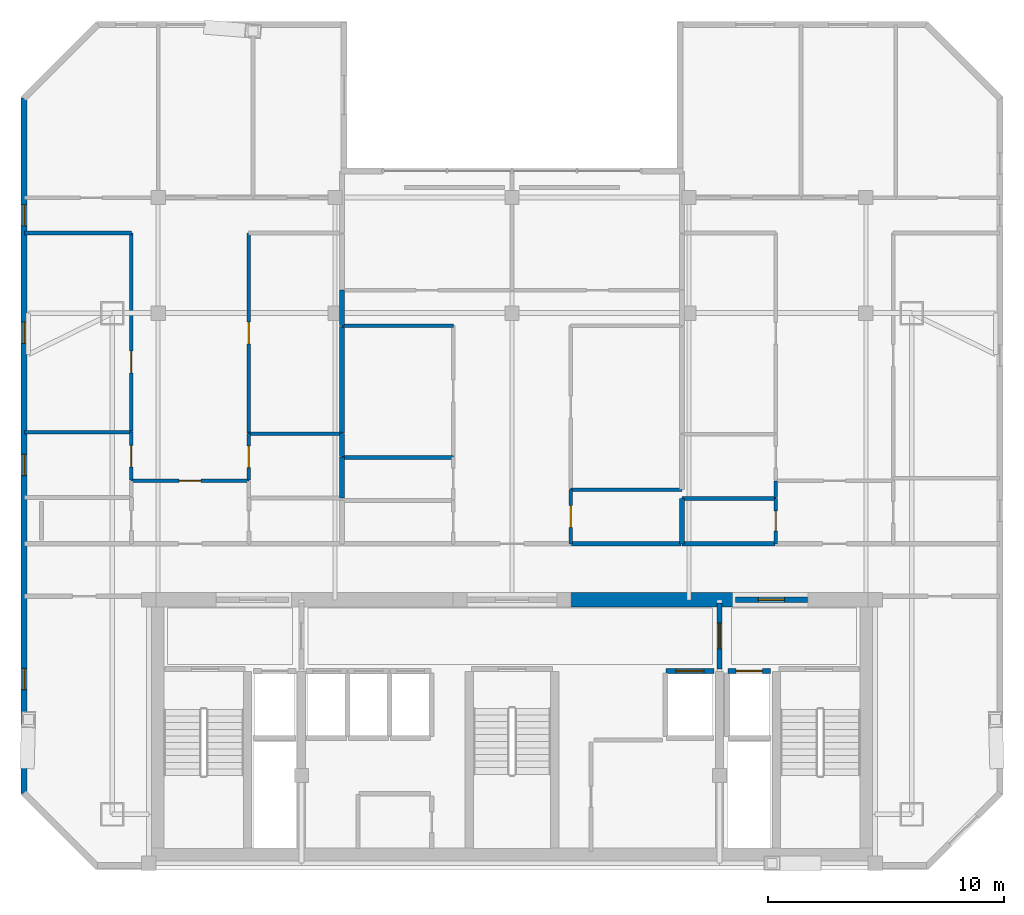
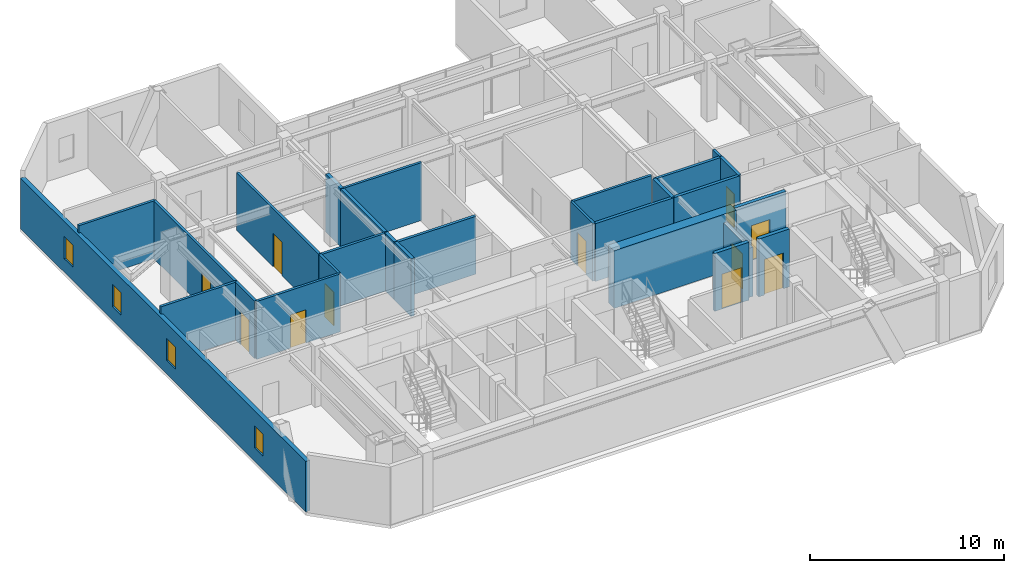
# One storey, part 7 of 11: 28 walls, 11 doors, 4 windows, 15 openings.
"""IFC4 building model written with IfcOpenShell, lengths in metres."""

from ifc_helpers import new_model, si_unit, direction, frame, frame_2d, origin, place, context, subcontext, project, spatial, rectangle, extrude, material, layer, layer_set, type_object, element, fill, save


model = new_model("IFC4")

# Units and contexts
model_context = context("Model", 3, precision=1e-05, world=origin(), true_north=direction((0.0, 1.0)))
body_context = subcontext(model_context, "Body", "Model", "MODEL_VIEW")
ifc_project = project(units=[si_unit("LENGTHUNIT", "METRE"), si_unit("AREAUNIT", "SQUARE_METRE"), si_unit("VOLUMEUNIT", "CUBIC_METRE"), si_unit("PLANEANGLEUNIT", "RADIAN"), si_unit("MASSUNIT", "GRAM", prefix="KILO")], contexts=[model_context])

# Site, building, storey
site_placement = place(None, origin())
site = spatial("IfcSite", under=ifc_project, at=site_placement, CompositionType="ELEMENT")
building_placement = place(site_placement, origin())
building = spatial("IfcBuilding", under=site, at=building_placement, Name="Ventersveld Concourse Tower", CompositionType="ELEMENT")
storey_placement = place(building_placement, frame((0.0, 0.0, 256.75)))
storey = spatial("IfcBuildingStorey", under=building, at=storey_placement, Name="L63", CompositionType="ELEMENT", Elevation=256.75)

# Walls
ifc_material_1 = material(Name="Concrete C50/60", Category="concrete")
ifc_layer_1 = layer(ifc_material_1, 0.60009765625)
ifc_layer_set_1 = layer_set([ifc_layer_1], Name="Concrete C50/60")
wall_type_1 = type_object("IfcWallType", Name="WL-CORE-600", PredefinedType="SHEAR", material=ifc_layer_set_1)
wall_1_placement = place(storey_placement, frame((30.89990234375, 11.449951171875, 0.0), z_axis=(0.0, 0.0, 1.0), x_axis=(1.0, 0.0, 0.0)))
element("IfcWall", 1, at=wall_1_placement, inside=storey, type_object=wall_type_1, Name="L63 Rear Core North Shear Wall NMR", PredefinedType="SHEAR", context=body_context, shape_type="SweptSolid", body=[
    extrude(rectangle(XDim=7.300048828125, YDim=0.60009765625, at=frame_2d((3.64990234375, 0.0))), origin(), (0.0, 0.0, 1.0), 3.64990234375),
])
ifc_material_2 = material(Name="Fire-rated autoclaved aerated masonry blockwork", Category="masonry")
ifc_layer_2 = layer(ifc_material_2, 0.179931640625)
ifc_layer_set_2 = layer_set([ifc_layer_2], Name="Fire-rated autoclaved aerated masonry blockwork")
wall_type_2 = type_object("IfcWallType", Name="WL-CORR-180", PredefinedType="PARTITIONING", material=ifc_layer_set_2)
wall_2_placement = place(storey_placement, frame((35.955078125, 13.830078125, 0.0), z_axis=(0.0, 0.0, 1.0), x_axis=(1.0, 0.0, 0.0)))
element("IfcWall", 2, at=wall_2_placement, inside=storey, type_object=wall_type_2, Name="L63 Interior Partition SP-L63-COR-SP-L63-63CE-BATH", PredefinedType="PARTITIONING", context=body_context, shape_type="SweptSolid", body=[
    extrude(rectangle(XDim=3.9443359375, YDim=0.179931640625, at=frame_2d((1.97216796875, 0.0))), origin(), (0.0, 0.0, 1.0), 3.64990234375),
])
wall_3_placement = place(storey_placement, frame((31.27490234375, 13.830078125, 0.0), z_axis=(0.0, 0.0, 1.0), x_axis=(1.0, 0.0, 0.0)))
element("IfcWall", 3, at=wall_3_placement, inside=storey, type_object=wall_type_2, Name="L63 Interior Partition SP-L63-COR-SP-L63-63CM-KIT", PredefinedType="PARTITIONING", context=body_context, shape_type="SweptSolid", body=[
    extrude(rectangle(XDim=4.650146484375, YDim=0.179931640625, at=frame_2d((2.3251953125, 0.0))), origin(), (0.0, 0.0, 1.0), 3.64990234375),
])
ifc_layer_3 = layer(ifc_material_2, 0.199951171875)
ifc_layer_set_3 = layer_set([ifc_layer_3], Name="Fire-rated autoclaved aerated masonry blockwork")
wall_type_3 = type_object("IfcWallType", Name="WL-DEMISE-200", PredefinedType="PARTITIONING", material=ifc_layer_set_3)
wall_4_placement = place(storey_placement, frame((21.5400390625, 15.756591796875, 0.0), z_axis=(0.0, 0.0, 1.0), x_axis=(0.0, 1.0, 0.0)))
element("IfcWall", 4, at=wall_4_placement, inside=storey, type_object=wall_type_3, Name="L63 Interior Partition SP-L63-63CW-KIT-SP-L63-63CM-PWDL0", PredefinedType="PARTITIONING", context=body_context, shape_type="SweptSolid", body=[
    extrude(rectangle(XDim=1.738525390625, YDim=0.199951171875, at=frame_2d((0.869140625, 0.0))), origin(), (0.0, 0.0, 1.0), 3.64990234375),
])
wall_5_placement = place(storey_placement, frame((21.5400390625, 17.52490234375, 0.0), z_axis=(0.0, 0.0, 1.0), x_axis=(0.0, 1.0, 0.0)))
element("IfcWall", 5, at=wall_5_placement, inside=storey, type_object=wall_type_3, Name="L63 Interior Partition SP-L63-63CW-KIT-SP-L63-63CM-DENL", PredefinedType="PARTITIONING", context=body_context, shape_type="SweptSolid", body=[
    extrude(rectangle(XDim=0.969482421875, YDim=0.199951171875, at=frame_2d((0.48486328125, 0.0))), origin(), (0.0, 0.0, 1.0), 3.64990234375),
])
wall_6_placement = place(storey_placement, frame((21.5400390625, 23.0712890625, 0.0), z_axis=(0.0, 0.0, 1.0), x_axis=(0.0, 1.0, 0.0)))
element("IfcWall", 6, at=wall_6_placement, inside=storey, type_object=wall_type_3, Name="L63 Interior Partition SP-L63-63CW-DENR-SP-L63-63CM-LIV", PredefinedType="PARTITIONING", context=body_context, shape_type="SweptSolid", body=[
    extrude(rectangle(XDim=1.510009765625, YDim=0.199951171875, at=frame_2d((0.7548828125, 0.0))), origin(), (0.0, 0.0, 1.0), 3.64990234375),
])
wall_7_placement = place(storey_placement, frame((21.5400390625, 18.5244140625, 0.0), z_axis=(0.0, 0.0, 1.0), x_axis=(0.0, 1.0, 0.0)))
element("IfcWall", 7, at=wall_7_placement, inside=storey, type_object=wall_type_3, Name="L63 Interior Partition SP-L63-63CW-DENR-SP-L63-63CM-DENL", PredefinedType="PARTITIONING", context=body_context, shape_type="SweptSolid", body=[
    extrude(rectangle(XDim=4.516845703125, YDim=0.199951171875, at=frame_2d((2.25830078125, 0.0))), origin(), (0.0, 0.0, 1.0), 3.64990234375),
])
wall_8_placement = place(storey_placement, frame((35.9599609375, 13.824951171875, 0.0), z_axis=(0.0, 0.0, 1.0), x_axis=(0.0, 1.0, 0.0)))
element("IfcWall", 8, at=wall_8_placement, inside=storey, type_object=wall_type_3, Name="L63 Interior Partition SP-L63-63CE-BATH-SP-L63-63CM-KIT", PredefinedType="PARTITIONING", context=body_context, shape_type="SweptSolid", body=[
    extrude(rectangle(XDim=1.929443359375, YDim=0.199951171875, at=frame_2d((0.96484375, 0.0))), origin(), (0.0, 0.0, 1.0), 3.64990234375),
])

# Wall, opening, door
ifc_layer_4 = layer(ifc_material_2, 0.219970703125)
ifc_layer_set_4 = layer_set([ifc_layer_4], Name="Fire-rated autoclaved aerated masonry blockwork")
wall_type_4 = type_object("IfcWallType", Name="WL-HOIST-220", PredefinedType="SOLIDWALL", material=ifc_layer_set_4)
wall_9_placement = place(storey_placement, frame((37.89990234375, 8.429931640625, 0.0), z_axis=(0.0, 0.0, 1.0), x_axis=(1.0, 0.0, 0.0)))
wall_9 = element("IfcWall", 9, at=wall_9_placement, inside=storey, type_object=wall_type_4, Name="L63 Lift Hoistway Front Wall FFL-02", PredefinedType="SOLIDWALL", context=body_context, shape_type="SweptSolid", body=[
    extrude(rectangle(XDim=1.820068359375, YDim=0.219970703125, at=frame_2d((0.91015625, 0.0))), origin(), (0.0, 0.0, 1.0), 3.64990234375),
])
opening_1_placement = place(wall_9_placement, frame((0.35009765625, 0.0, 0.0)))
opening_1 = element("IfcOpeningElement", 10, at=opening_1_placement, cuts=wall_9, Name="Opening LD1", PredefinedType="OPENING", context=body_context, shape_type="SweptSolid", body=[
    extrude(rectangle(XDim=1.1201171875, YDim=2.25, at=frame_2d((0.56005859375, 1.125))), frame((0.0, 0.1201171875, 0.0), z_axis=(0.0, -1.0, 0.0), x_axis=(1.0, 0.0, 0.0)), (0.0, 0.0, 1.0), 0.239990234375),
])
ifc_material_3 = material(Name="Brushed stainless steel 316", Category="steel")
door_type_1 = type_object("IfcDoorType", Name="LD-FF-112", OperationType="SLIDING_TO_LEFT", PredefinedType="DOOR", material=ifc_material_3)
door_1_placement = place(opening_1_placement, origin())
door_1 = element("IfcDoor", 11, at=door_1_placement, inside=storey, type_object=door_type_1, Name="L63 Lift landing door FFL-02 (LD-L63-FFL-02)", OperationType="SLIDING_TO_LEFT", OverallHeight=2.25, OverallWidth=1.1201171875, PredefinedType="DOOR", context=body_context, shape_type="SweptSolid", body=[
    extrude(rectangle(XDim=1.1201171875, YDim=2.25, at=frame_2d((0.56005859375, 1.125))), frame((0.0, 0.02490234375, 0.0), z_axis=(0.0, -1.0, 0.0), x_axis=(1.0, 0.0, 0.0)), (0.0, 0.0, 1.0), 0.050048828125),
])
fill(opening_1, door_1)

wall_10_placement = place(storey_placement, frame((35.280029296875, 8.429931640625, 0.0), z_axis=(0.0, 0.0, 1.0), x_axis=(1.0, 0.0, 0.0)))
wall_10 = element("IfcWall", 12, at=wall_10_placement, inside=storey, type_object=wall_type_4, Name="L63 Lift Hoistway Front Wall SVL-01", PredefinedType="SOLIDWALL", context=body_context, shape_type="SweptSolid", body=[
    extrude(rectangle(XDim=2.0400390625, YDim=0.219970703125, at=frame_2d((1.02001953125, 0.0))), origin(), (0.0, 0.0, 1.0), 3.64990234375),
])
opening_2_placement = place(wall_10_placement, frame((0.429931640625, 0.0, 0.0)))
opening_2 = element("IfcOpeningElement", 13, at=opening_2_placement, cuts=wall_10, Name="Opening LD2", PredefinedType="OPENING", context=body_context, shape_type="SweptSolid", body=[
    extrude(rectangle(XDim=1.179931640625, YDim=2.199951171875, at=frame_2d((0.58984375, 1.10009765625))), frame((0.0, 0.1201171875, 0.0), z_axis=(0.0, -1.0, 0.0), x_axis=(1.0, 0.0, 0.0)), (0.0, 0.0, 1.0), 0.239990234375),
])
door_type_2 = type_object("IfcDoorType", Name="LD-PAX-118", OperationType="SLIDING_TO_LEFT", PredefinedType="DOOR", material=ifc_material_3)
door_2_placement = place(opening_2_placement, origin())
door_2 = element("IfcDoor", 14, at=door_2_placement, inside=storey, type_object=door_type_2, Name="L63 Lift landing door SVL-01 (LD-L63-SVL-01)", OperationType="SLIDING_TO_RIGHT", OverallHeight=2.199951171875, OverallWidth=1.179931640625, PredefinedType="DOOR", context=body_context, shape_type="SweptSolid", body=[
    extrude(rectangle(XDim=1.179931640625, YDim=2.199951171875, at=frame_2d((0.58984375, 1.10009765625))), frame((0.0, 0.02490234375, 0.0), z_axis=(0.0, -1.0, 0.0), x_axis=(1.0, 0.0, 0.0)), (0.0, 0.0, 1.0), 0.050048828125),
])
fill(opening_2, door_2)

wall_11_placement = place(storey_placement, frame((37.550048828125, 8.52001953125, 0.0), z_axis=(0.0, 0.0, 1.0), x_axis=(0.0, 1.0, 0.0)))
wall_11 = element("IfcWall", 15, at=wall_11_placement, inside=storey, type_object=wall_type_4, Name="L63 Firefighting Lobby Smoke-Stop Wall FFLE-SEP", PredefinedType="SOLIDWALL", context=body_context, shape_type="SweptSolid", body=[
    extrude(rectangle(XDim=2.800048828125, YDim=0.219970703125, at=frame_2d((1.39990234375, 0.0))), origin(), (0.0, 0.0, 1.0), 3.10546875),
])
opening_3_placement = place(wall_11_placement, frame((0.85009765625, 0.0, 0.0)))
opening_3 = element("IfcOpeningElement", 16, at=opening_3_placement, cuts=wall_11, Name="Opening FD2", PredefinedType="OPENING", context=body_context, shape_type="SweptSolid", body=[
    extrude(rectangle(XDim=1.10009765625, YDim=2.199951171875, at=frame_2d((0.550048828125, 1.10009765625))), frame((0.0, 0.1201171875, 0.0), z_axis=(0.0, -1.0, 0.0), x_axis=(1.0, 0.0, 0.0)), (0.0, 0.0, 1.0), 0.239990234375),
])
ifc_material_4 = material(Name="Galvanised painted steel", Category="steel")
door_type_3 = type_object("IfcDoorType", Name="DR-FFL-110", OperationType="NOTDEFINED", PredefinedType="DOOR", material=ifc_material_4)
door_3_placement = place(opening_3_placement, origin())
door_3 = element("IfcDoor", 17, at=door_3_placement, inside=storey, type_object=door_type_3, Name="L63 Firefighting Lobby Door FFLE-SEP (FD-L63-2974)", OperationType="SINGLE_SWING_RIGHT", OverallHeight=2.199951171875, OverallWidth=1.10009765625, PredefinedType="DOOR", context=body_context, shape_type="SweptSolid", body=[
    extrude(rectangle(XDim=1.10009765625, YDim=2.199951171875, at=frame_2d((0.550048828125, 1.10009765625))), frame((0.0, 0.02490234375, 0.0), z_axis=(0.0, -1.0, 0.0), x_axis=(1.0, 0.0, 0.0)), (0.0, 0.0, 1.0), 0.050048828125),
])
fill(opening_3, door_3)

wall_12_placement = place(storey_placement, frame((38.22998046875, 11.449951171875, 0.0), z_axis=(0.0, 0.0, 1.0), x_axis=(1.0, 0.0, 0.0)))
wall_12 = element("IfcWall", 18, at=wall_12_placement, inside=storey, type_object=wall_type_4, Name="L63 Core North Fire Portal FFLE-OUT", PredefinedType="SOLIDWALL", context=body_context, shape_type="SweptSolid", body=[
    extrude(rectangle(XDim=3.0400390625, YDim=0.219970703125, at=frame_2d((1.52001953125, 0.0))), origin(), (0.0, 0.0, 1.0), 3.64990234375),
])
opening_4_placement = place(wall_12_placement, frame((0.969970703125, 0.0, 0.0)))
opening_4 = element("IfcOpeningElement", 19, at=opening_4_placement, cuts=wall_12, Name="Opening FD2", PredefinedType="OPENING", context=body_context, shape_type="SweptSolid", body=[
    extrude(rectangle(XDim=1.10009765625, YDim=2.199951171875, at=frame_2d((0.550048828125, 1.10009765625))), frame((0.0, 0.1201171875, 0.0), z_axis=(0.0, -1.0, 0.0), x_axis=(1.0, 0.0, 0.0)), (0.0, 0.0, 1.0), 0.239990234375),
])
door_4_placement = place(opening_4_placement, origin())
door_4 = element("IfcDoor", 20, at=door_4_placement, inside=storey, type_object=door_type_3, Name="L63 Core Lobby Fire Door FFLE-OUT (FD-L63-2977)", OperationType="SINGLE_SWING_LEFT", OverallHeight=2.199951171875, OverallWidth=1.10009765625, PredefinedType="DOOR", context=body_context, shape_type="SweptSolid", body=[
    extrude(rectangle(XDim=1.10009765625, YDim=2.199951171875, at=frame_2d((0.550048828125, 1.10009765625))), frame((0.0, 0.02490234375, 0.0), z_axis=(0.0, -1.0, 0.0), x_axis=(1.0, 0.0, 0.0)), (0.0, 0.0, 1.0), 0.050048828125),
])
fill(opening_4, door_4)

ifc_material_5 = material(Name="Autoclaved aerated masonry blockwork", Category="masonry")
ifc_layer_5 = layer(ifc_material_5, 0.14990234375)
ifc_layer_set_5 = layer_set([ifc_layer_5], Name="Autoclaved aerated masonry blockwork")
wall_type_5 = type_object("IfcWallType", Name="WL-INT-150", PredefinedType="PARTITIONING", material=ifc_layer_set_5)
wall_13_placement = place(storey_placement, frame((12.60693359375, 16.490234375, 0.0), z_axis=(0.0, 0.0, 1.0), x_axis=(1.0, 0.0, 0.0)))
wall_13 = element("IfcWall", 21, at=wall_13_placement, inside=storey, type_object=wall_type_5, Name="L63 Interior Partition SP-L63-63CW-FOY-SP-L63-63CW-LIV", PredefinedType="PARTITIONING", context=body_context, shape_type="SweptSolid", body=[
    extrude(rectangle(XDim=4.989990234375, YDim=0.14990234375, at=frame_2d((2.4951171875, 0.0))), origin(), (0.0, 0.0, 1.0), 3.64990234375),
])
opening_5_placement = place(wall_13_placement, frame((2.034912109375, 0.0, 0.0)))
opening_5 = element("IfcOpeningElement", 22, at=opening_5_placement, cuts=wall_13, Name="Opening ID1", PredefinedType="OPENING", context=body_context, shape_type="SweptSolid", body=[
    extrude(rectangle(XDim=0.919921875, YDim=2.10009765625, at=frame_2d((0.4599609375, 1.050048828125))), frame((0.0, 0.0849609375, 0.0), z_axis=(0.0, -1.0, 0.0), x_axis=(1.0, 0.0, 0.0)), (0.0, 0.0, 1.0), 0.169921875),
])
ifc_material_6 = material(Name="Solid-core hardwood veneer timber", Category="wood")
door_type_4 = type_object("IfcDoorType", Name="DR-ROOM-092", OperationType="NOTDEFINED", PredefinedType="DOOR", material=ifc_material_6)
door_5_placement = place(opening_5_placement, origin())
door_5 = element("IfcDoor", 23, at=door_5_placement, inside=storey, type_object=door_type_4, Name="L63 Interior Door SP-L63-63CW-FOY to SP-L63-63CW-LIV (D-L63-2985)", OperationType="SINGLE_SWING_LEFT", OverallHeight=2.10009765625, OverallWidth=0.919921875, PredefinedType="DOOR", context=body_context, shape_type="SweptSolid", body=[
    extrude(rectangle(XDim=0.919921875, YDim=2.10009765625, at=frame_2d((0.4599609375, 1.050048828125))), frame((0.0, 0.02490234375, 0.0), z_axis=(0.0, -1.0, 0.0), x_axis=(1.0, 0.0, 0.0)), (0.0, 0.0, 1.0), 0.050048828125),
])
fill(opening_5, door_5)

wall_14_placement = place(storey_placement, frame((12.612060546875, 16.525390625, 0.0), z_axis=(0.0, 0.0, 1.0), x_axis=(0.0, 1.0, 0.0)))
wall_14 = element("IfcWall", 24, at=wall_14_placement, inside=storey, type_object=wall_type_5, Name="L63 Interior Partition SP-L63-63CW-LIV-SP-L63-63CW-PANL0", PredefinedType="PARTITIONING", context=body_context, shape_type="SweptSolid", body=[
    extrude(rectangle(XDim=2.02978515625, YDim=0.14990234375, at=frame_2d((1.014892578125, 0.0))), origin(), (0.0, 0.0, 1.0), 3.64990234375),
])
opening_6_placement = place(wall_14_placement, frame((0.554931640625, 0.0, 0.0)))
opening_6 = element("IfcOpeningElement", 25, at=opening_6_placement, cuts=wall_14, Name="Opening ID1", PredefinedType="OPENING", context=body_context, shape_type="SweptSolid", body=[
    extrude(rectangle(XDim=0.919921875, YDim=2.10009765625, at=frame_2d((0.4599609375, 1.050048828125))), frame((0.0, 0.0849609375, 0.0), z_axis=(0.0, -1.0, 0.0), x_axis=(1.0, 0.0, 0.0)), (0.0, 0.0, 1.0), 0.169921875),
])
door_6_placement = place(opening_6_placement, origin())
door_6 = element("IfcDoor", 26, at=door_6_placement, inside=storey, type_object=door_type_4, Name="L63 Interior Door SP-L63-63CW-LIV to SP-L63-63CW-PANL0 (D-L63-2988)", OperationType="SINGLE_SWING_RIGHT", OverallHeight=2.10009765625, OverallWidth=0.919921875, PredefinedType="DOOR", context=body_context, shape_type="SweptSolid", body=[
    extrude(rectangle(XDim=0.919921875, YDim=2.10009765625, at=frame_2d((0.4599609375, 1.050048828125))), frame((0.0, 0.02490234375, 0.0), z_axis=(0.0, -1.0, 0.0), x_axis=(1.0, 0.0, 0.0)), (0.0, 0.0, 1.0), 0.050048828125),
])
fill(opening_6, door_6)

wall_15_placement = place(storey_placement, frame((12.612060546875, 18.585205078125, 0.0), z_axis=(0.0, 0.0, 1.0), x_axis=(0.0, 1.0, 0.0)))
wall_15 = element("IfcWall", 27, at=wall_15_placement, inside=storey, type_object=wall_type_5, Name="L63 Interior Partition SP-L63-63CW-LIV-SP-L63-63CW-DENL", PredefinedType="PARTITIONING", context=body_context, shape_type="SweptSolid", body=[
    extrude(rectangle(XDim=8.419677734375, YDim=0.14990234375, at=frame_2d((4.2099609375, 0.0))), origin(), (0.0, 0.0, 1.0), 3.64990234375),
])
opening_7_placement = place(wall_15_placement, frame((2.48681640625, 0.0, 0.0)))
opening_7 = element("IfcOpeningElement", 28, at=opening_7_placement, cuts=wall_15, Name="Opening ID1", PredefinedType="OPENING", context=body_context, shape_type="SweptSolid", body=[
    extrude(rectangle(XDim=0.919921875, YDim=2.10009765625, at=frame_2d((0.4599609375, 1.050048828125))), frame((0.0, 0.0849609375, 0.0), z_axis=(0.0, -1.0, 0.0), x_axis=(1.0, 0.0, 0.0)), (0.0, 0.0, 1.0), 0.169921875),
])
door_7_placement = place(opening_7_placement, origin())
door_7 = element("IfcDoor", 29, at=door_7_placement, inside=storey, type_object=door_type_4, Name="L63 Interior Door SP-L63-63CW-LIV to SP-L63-63CW-DENL (D-L63-2989)", OperationType="SINGLE_SWING_LEFT", OverallHeight=2.10009765625, OverallWidth=0.919921875, PredefinedType="DOOR", context=body_context, shape_type="SweptSolid", body=[
    extrude(rectangle(XDim=0.919921875, YDim=2.10009765625, at=frame_2d((0.4599609375, 1.050048828125))), frame((0.0, 0.02490234375, 0.0), z_axis=(0.0, -1.0, 0.0), x_axis=(1.0, 0.0, 0.0)), (0.0, 0.0, 1.0), 0.050048828125),
])
fill(opening_7, door_7)

# Wall
wall_16_placement = place(storey_placement, frame((8.076171875, 27.0, 0.0), z_axis=(0.0, 0.0, 1.0), x_axis=(1.0, 0.0, 0.0)))
element("IfcWall", 30, at=wall_16_placement, inside=storey, type_object=wall_type_5, Name="L63 Interior Partition SP-L63-63CW-LIV-SP-L63-63CW-DENL", PredefinedType="PARTITIONING", context=body_context, shape_type="SweptSolid", body=[
    extrude(rectangle(XDim=4.540771484375, YDim=0.14990234375, at=frame_2d((2.2705078125, 0.0))), origin(), (0.0, 0.0, 1.0), 3.64990234375),
])

# Wall, opening, door
wall_17_placement = place(storey_placement, frame((17.592041015625, 16.525390625, 0.0), z_axis=(0.0, 0.0, 1.0), x_axis=(0.0, 1.0, 0.0)))
wall_17 = element("IfcWall", 31, at=wall_17_placement, inside=storey, type_object=wall_type_5, Name="L63 Interior Partition SP-L63-63CW-LIV-SP-L63-63CW-KIT", PredefinedType="PARTITIONING", context=body_context, shape_type="SweptSolid", body=[
    extrude(rectangle(XDim=1.968994140625, YDim=0.14990234375, at=frame_2d((0.984375, 0.0))), origin(), (0.0, 0.0, 1.0), 3.64990234375),
])
opening_8_placement = place(wall_17_placement, frame((0.5244140625, 0.0, 0.0)))
opening_8 = element("IfcOpeningElement", 32, at=opening_8_placement, cuts=wall_17, Name="Opening ID1", PredefinedType="OPENING", context=body_context, shape_type="SweptSolid", body=[
    extrude(rectangle(XDim=0.919921875, YDim=2.10009765625, at=frame_2d((0.4599609375, 1.050048828125))), frame((0.0, 0.0849609375, 0.0), z_axis=(0.0, -1.0, 0.0), x_axis=(1.0, 0.0, 0.0)), (0.0, 0.0, 1.0), 0.169921875),
])
door_8_placement = place(opening_8_placement, origin())
door_8 = element("IfcDoor", 33, at=door_8_placement, inside=storey, type_object=door_type_4, Name="L63 Interior Door SP-L63-63CW-LIV to SP-L63-63CW-KIT (D-L63-2990)", OperationType="SINGLE_SWING_RIGHT", OverallHeight=2.10009765625, OverallWidth=0.919921875, PredefinedType="DOOR", context=body_context, shape_type="SweptSolid", body=[
    extrude(rectangle(XDim=0.919921875, YDim=2.10009765625, at=frame_2d((0.4599609375, 1.050048828125))), frame((0.0, 0.02490234375, 0.0), z_axis=(0.0, -1.0, 0.0), x_axis=(1.0, 0.0, 0.0)), (0.0, 0.0, 1.0), 0.050048828125),
])
fill(opening_8, door_8)

wall_18_placement = place(storey_placement, frame((17.592041015625, 18.5244140625, 0.0), z_axis=(0.0, 0.0, 1.0), x_axis=(0.0, 1.0, 0.0)))
wall_18 = element("IfcWall", 34, at=wall_18_placement, inside=storey, type_object=wall_type_5, Name="L63 Interior Partition SP-L63-63CW-LIV-SP-L63-63CW-DENR", PredefinedType="PARTITIONING", context=body_context, shape_type="SweptSolid", body=[
    extrude(rectangle(XDim=8.48046875, YDim=0.14990234375, at=frame_2d((4.240234375, 0.0))), origin(), (0.0, 0.0, 1.0), 3.64990234375),
])
opening_9_placement = place(wall_18_placement, frame((3.7802734375, 0.0, 0.0)))
opening_9 = element("IfcOpeningElement", 35, at=opening_9_placement, cuts=wall_18, Name="Opening ID1", PredefinedType="OPENING", context=body_context, shape_type="SweptSolid", body=[
    extrude(rectangle(XDim=0.919921875, YDim=2.10009765625, at=frame_2d((0.4599609375, 1.050048828125))), frame((0.0, 0.0849609375, 0.0), z_axis=(0.0, -1.0, 0.0), x_axis=(1.0, 0.0, 0.0)), (0.0, 0.0, 1.0), 0.169921875),
])
door_9_placement = place(opening_9_placement, origin())
door_9 = element("IfcDoor", 36, at=door_9_placement, inside=storey, type_object=door_type_4, Name="L63 Interior Door SP-L63-63CW-LIV to SP-L63-63CW-DENR (D-L63-2991)", OperationType="SINGLE_SWING_LEFT", OverallHeight=2.10009765625, OverallWidth=0.919921875, PredefinedType="DOOR", context=body_context, shape_type="SweptSolid", body=[
    extrude(rectangle(XDim=0.919921875, YDim=2.10009765625, at=frame_2d((0.4599609375, 1.050048828125))), frame((0.0, 0.02490234375, 0.0), z_axis=(0.0, -1.0, 0.0), x_axis=(1.0, 0.0, 0.0)), (0.0, 0.0, 1.0), 0.050048828125),
])
fill(opening_9, door_9)

# Walls
wall_19_placement = place(storey_placement, frame((8.076171875, 18.55029296875, 0.0), z_axis=(0.0, 0.0, 1.0), x_axis=(1.0, 0.0, 0.0)))
element("IfcWall", 37, at=wall_19_placement, inside=storey, type_object=wall_type_5, Name="L63 Interior Partition SP-L63-63CW-PANL0-SP-L63-63CW-DENL", PredefinedType="PARTITIONING", context=body_context, shape_type="SweptSolid", body=[
    extrude(rectangle(XDim=4.540771484375, YDim=0.14990234375, at=frame_2d((2.2705078125, 0.0))), origin(), (0.0, 0.0, 1.0), 3.64990234375),
])
wall_20_placement = place(storey_placement, frame((17.5869140625, 18.489501953125, 0.0), z_axis=(0.0, 0.0, 1.0), x_axis=(1.0, 0.0, 0.0)))
element("IfcWall", 38, at=wall_20_placement, inside=storey, type_object=wall_type_5, Name="L63 Interior Partition SP-L63-63CW-KIT-SP-L63-63CW-DENR", PredefinedType="PARTITIONING", context=body_context, shape_type="SweptSolid", body=[
    extrude(rectangle(XDim=3.9580078125, YDim=0.14990234375, at=frame_2d((1.97900390625, 0.0))), origin(), (0.0, 0.0, 1.0), 3.64990234375),
])
wall_21_placement = place(storey_placement, frame((39.934326171875, 15.784423828125, 0.0), z_axis=(0.0, 0.0, 1.0), x_axis=(0.0, 1.0, 0.0)))
element("IfcWall", 39, at=wall_21_placement, inside=storey, type_object=wall_type_5, Name="L63 Interior Partition SP-L63-63CE-FOY-SP-L63-63CE-PANL0", PredefinedType="PARTITIONING", context=body_context, shape_type="SweptSolid", body=[
    extrude(rectangle(XDim=0.7109375, YDim=0.14990234375, at=frame_2d((0.35546875, 0.0))), origin(), (0.0, 0.0, 1.0), 3.64990234375),
])
wall_22_placement = place(storey_placement, frame((21.534912109375, 23.076416015625, 0.0), z_axis=(0.0, 0.0, 1.0), x_axis=(1.0, 0.0, 0.0)))
element("IfcWall", 40, at=wall_22_placement, inside=storey, type_object=wall_type_5, Name="L63 Interior Partition SP-L63-63CM-LIV-SP-L63-63CM-DENL", PredefinedType="PARTITIONING", context=body_context, shape_type="SweptSolid", body=[
    extrude(rectangle(XDim=4.72998046875, YDim=0.14990234375, at=frame_2d((2.364990234375, 0.0))), origin(), (0.0, 0.0, 1.0), 3.64990234375),
])

# Wall, opening, door
wall_23_placement = place(storey_placement, frame((31.239990234375, 13.824951171875, 0.0), z_axis=(0.0, 0.0, 1.0), x_axis=(0.0, 1.0, 0.0)))
wall_23 = element("IfcWall", 41, at=wall_23_placement, inside=storey, type_object=wall_type_5, Name="L63 Interior Partition SP-L63-63CM-LIV-SP-L63-63CM-KIT", PredefinedType="PARTITIONING", context=body_context, shape_type="SweptSolid", body=[
    extrude(rectangle(XDim=2.304443359375, YDim=0.14990234375, at=frame_2d((1.15234375, 0.0))), origin(), (0.0, 0.0, 1.0), 3.64990234375),
])
opening_10_placement = place(wall_23_placement, frame((0.6923828125, 0.0, 0.0)))
opening_10 = element("IfcOpeningElement", 42, at=opening_10_placement, cuts=wall_23, Name="Opening ID1", PredefinedType="OPENING", context=body_context, shape_type="SweptSolid", body=[
    extrude(rectangle(XDim=0.919921875, YDim=2.10009765625, at=frame_2d((0.4599609375, 1.050048828125))), frame((0.0, 0.0849609375, 0.0), z_axis=(0.0, -1.0, 0.0), x_axis=(1.0, 0.0, 0.0)), (0.0, 0.0, 1.0), 0.169921875),
])
door_10_placement = place(opening_10_placement, origin())
door_10 = element("IfcDoor", 43, at=door_10_placement, inside=storey, type_object=door_type_4, Name="L63 Interior Door SP-L63-63CM-LIV to SP-L63-63CM-KIT (D-L63-3007)", OperationType="SINGLE_SWING_LEFT", OverallHeight=2.10009765625, OverallWidth=0.919921875, PredefinedType="DOOR", context=body_context, shape_type="SweptSolid", body=[
    extrude(rectangle(XDim=0.919921875, YDim=2.10009765625, at=frame_2d((0.4599609375, 1.050048828125))), frame((0.0, 0.02490234375, 0.0), z_axis=(0.0, -1.0, 0.0), x_axis=(1.0, 0.0, 0.0)), (0.0, 0.0, 1.0), 0.050048828125),
])
fill(opening_10, door_10)

# Wall
wall_24_placement = place(storey_placement, frame((31.235107421875, 16.12451171875, 0.0), z_axis=(0.0, 0.0, 1.0), x_axis=(1.0, 0.0, 0.0)))
element("IfcWall", 44, at=wall_24_placement, inside=storey, type_object=wall_type_5, Name="L63 Interior Partition SP-L63-63CM-KIT-SP-L63-63CM-DENR", PredefinedType="PARTITIONING", context=body_context, shape_type="SweptSolid", body=[
    extrude(rectangle(XDim=4.72998046875, YDim=0.14990234375, at=frame_2d((2.364990234375, 0.0))), origin(), (0.0, 0.0, 1.0), 3.64990234375),
])

# Wall, openings, windows
ifc_material_7 = material(Name="Precast concrete C45/55", Category="concrete")
ifc_layer_6 = layer(ifc_material_7, 0.260009765625)
ifc_layer_set_6 = layer_set([ifc_layer_6], Name="Precast concrete C45/55")
wall_type_6 = type_object("IfcWallType", Name="WL-PREC-260", PredefinedType="SOLIDWALL", material=ifc_layer_set_6)
wall_25_placement = place(storey_placement, frame((8.056640625, 32.726318359375, 0.0), z_axis=(0.0, 0.0, 1.0), x_axis=(0.0, -1.0, 0.0)))
wall_25 = element("IfcWall", 45, at=wall_25_placement, inside=storey, type_object=wall_type_6, Name="L63 Highveld Precast Facade Wall E11", PredefinedType="SOLIDWALL", context=body_context, shape_type="SweptSolid", body=[
    extrude(rectangle(XDim=29.486328125, YDim=0.260009765625, at=frame_2d((14.7431640625, 0.0))), origin(), (0.0, 0.0, 1.0), 3.18994140625),
])
opening_11_placement = place(wall_25_placement, frame((24.18603515625, 0.0, 0.85009765625)))
opening_11 = element("IfcOpeningElement", 46, at=opening_11_placement, cuts=wall_25, Name="Opening W8", PredefinedType="OPENING", context=body_context, shape_type="SweptSolid", body=[
    extrude(rectangle(XDim=0.89990234375, YDim=1.39990234375, at=frame_2d((0.449951171875, 0.699951171875))), frame((0.0, 0.14013671875, 0.0), z_axis=(0.0, -1.0, 0.0), x_axis=(1.0, 0.0, 0.0)), (0.0, 0.0, 1.0), 0.280029296875),
])
opening_12_placement = place(wall_25_placement, frame((4.5263671875, 0.0, 0.85009765625)))
opening_12 = element("IfcOpeningElement", 47, at=opening_12_placement, cuts=wall_25, Name="Opening W8", PredefinedType="OPENING", context=body_context, shape_type="SweptSolid", body=[
    extrude(rectangle(XDim=0.89990234375, YDim=1.39990234375, at=frame_2d((0.449951171875, 0.699951171875))), frame((0.0, 0.14013671875, 0.0), z_axis=(0.0, -1.0, 0.0), x_axis=(1.0, 0.0, 0.0)), (0.0, 0.0, 1.0), 0.280029296875),
])
opening_13_placement = place(wall_25_placement, frame((15.10791015625, 0.0, 0.85009765625)))
opening_13 = element("IfcOpeningElement", 48, at=opening_13_placement, cuts=wall_25, Name="Opening W8", PredefinedType="OPENING", context=body_context, shape_type="SweptSolid", body=[
    extrude(rectangle(XDim=0.89990234375, YDim=1.39990234375, at=frame_2d((0.449951171875, 0.699951171875))), frame((0.0, 0.14013671875, 0.0), z_axis=(0.0, -1.0, 0.0), x_axis=(1.0, 0.0, 0.0)), (0.0, 0.0, 1.0), 0.280029296875),
])
opening_14_placement = place(wall_25_placement, frame((9.501220703125, 0.0, 0.85009765625)))
opening_14 = element("IfcOpeningElement", 49, at=opening_14_placement, cuts=wall_25, Name="Opening W8", PredefinedType="OPENING", context=body_context, shape_type="SweptSolid", body=[
    extrude(rectangle(XDim=0.89990234375, YDim=1.39990234375, at=frame_2d((0.449951171875, 0.699951171875))), frame((0.0, 0.14013671875, 0.0), z_axis=(0.0, -1.0, 0.0), x_axis=(1.0, 0.0, 0.0)), (0.0, 0.0, 1.0), 0.280029296875),
])
ifc_material_8 = material(Name="Tempered acoustic Low-E IGU", Category="glass")
window_type = type_object("IfcWindowType", Name="WIN-090x140", PartitioningType="SINGLE_PANEL", PredefinedType="WINDOW", material=ifc_material_8)
window_1_placement = place(opening_11_placement, origin())
window_1 = element("IfcWindow", 50, at=window_1_placement, inside=storey, type_object=window_type, Name="L63 Punched Low-E Window W-0891", OverallHeight=1.39990234375, OverallWidth=0.89990234375, PartitioningType="SINGLE_PANEL", PredefinedType="WINDOW", context=body_context, shape_type="SweptSolid", body=[
    extrude(rectangle(XDim=0.89990234375, YDim=1.39990234375, at=frame_2d((0.449951171875, 0.699951171875))), frame((0.0, 0.030029296875, 0.0), z_axis=(0.0, -1.0, 0.0), x_axis=(1.0, 0.0, 0.0)), (0.0, 0.0, 1.0), 0.06005859375),
])
fill(opening_11, window_1)
window_2_placement = place(opening_12_placement, origin())
window_2 = element("IfcWindow", 51, at=window_2_placement, inside=storey, type_object=window_type, Name="L63 Punched Low-E Window W-0893", OverallHeight=1.39990234375, OverallWidth=0.89990234375, PartitioningType="SINGLE_PANEL", PredefinedType="WINDOW", context=body_context, shape_type="SweptSolid", body=[
    extrude(rectangle(XDim=0.89990234375, YDim=1.39990234375, at=frame_2d((0.449951171875, 0.699951171875))), frame((0.0, 0.030029296875, 0.0), z_axis=(0.0, -1.0, 0.0), x_axis=(1.0, 0.0, 0.0)), (0.0, 0.0, 1.0), 0.06005859375),
])
fill(opening_12, window_2)
window_3_placement = place(opening_13_placement, origin())
window_3 = element("IfcWindow", 52, at=window_3_placement, inside=storey, type_object=window_type, Name="L63 Punched Low-E Window W-0894", OverallHeight=1.39990234375, OverallWidth=0.89990234375, PartitioningType="SINGLE_PANEL", PredefinedType="WINDOW", context=body_context, shape_type="SweptSolid", body=[
    extrude(rectangle(XDim=0.89990234375, YDim=1.39990234375, at=frame_2d((0.449951171875, 0.699951171875))), frame((0.0, 0.030029296875, 0.0), z_axis=(0.0, -1.0, 0.0), x_axis=(1.0, 0.0, 0.0)), (0.0, 0.0, 1.0), 0.06005859375),
])
fill(opening_13, window_3)
window_4_placement = place(opening_14_placement, origin())
window_4 = element("IfcWindow", 53, at=window_4_placement, inside=storey, type_object=window_type, Name="L63 Punched Low-E Window W-0895", OverallHeight=1.39990234375, OverallWidth=0.89990234375, PartitioningType="SINGLE_PANEL", PredefinedType="WINDOW", context=body_context, shape_type="SweptSolid", body=[
    extrude(rectangle(XDim=0.89990234375, YDim=1.39990234375, at=frame_2d((0.449951171875, 0.699951171875))), frame((0.0, 0.030029296875, 0.0), z_axis=(0.0, -1.0, 0.0), x_axis=(1.0, 0.0, 0.0)), (0.0, 0.0, 1.0), 0.06005859375),
])
fill(opening_14, window_4)

# Wall, opening, door
ifc_layer_7 = layer(ifc_material_5, 0.1650390625)
ifc_layer_set_7 = layer_set([ifc_layer_7], Name="Autoclaved aerated masonry blockwork")
wall_type_7 = type_object("IfcWallType", Name="WL-WET-165", PredefinedType="PLUMBINGWALL", material=ifc_layer_set_7)
wall_26_placement = place(storey_placement, frame((39.934326171875, 13.824951171875, 0.0), z_axis=(0.0, 0.0, 1.0), x_axis=(0.0, 1.0, 0.0)))
wall_26 = element("IfcWall", 54, at=wall_26_placement, inside=storey, type_object=wall_type_7, Name="L63 Interior Partition SP-L63-63CE-FOY-SP-L63-63CE-BATH", PredefinedType="PLUMBINGWALL", context=body_context, shape_type="SweptSolid", body=[
    extrude(rectangle(XDim=1.929443359375, YDim=0.1650390625, at=frame_2d((0.96484375, 0.0))), origin(), (0.0, 0.0, 1.0), 3.64990234375),
])
opening_15_placement = place(wall_26_placement, frame((0.539794921875, 0.0, 0.0)))
opening_15 = element("IfcOpeningElement", 55, at=opening_15_placement, cuts=wall_26, Name="Opening ID2", PredefinedType="OPENING", context=body_context, shape_type="SweptSolid", body=[
    extrude(rectangle(XDim=0.85009765625, YDim=2.10009765625, at=frame_2d((0.425048828125, 1.050048828125))), frame((0.0, 0.092529296875, 0.0), z_axis=(0.0, -1.0, 0.0), x_axis=(1.0, 0.0, 0.0)), (0.0, 0.0, 1.0), 0.18505859375),
])
door_type_5 = type_object("IfcDoorType", Name="DR-BATH-085", OperationType="NOTDEFINED", PredefinedType="DOOR", material=ifc_material_6)
door_11_placement = place(opening_15_placement, origin())
door_11 = element("IfcDoor", 56, at=door_11_placement, inside=storey, type_object=door_type_5, Name="L63 Interior Door SP-L63-63CE-FOY to SP-L63-63CE-BATH (D-L63-2996)", OperationType="SINGLE_SWING_RIGHT", OverallHeight=2.10009765625, OverallWidth=0.85009765625, PredefinedType="DOOR", context=body_context, shape_type="SweptSolid", body=[
    extrude(rectangle(XDim=0.85009765625, YDim=2.10009765625, at=frame_2d((0.425048828125, 1.050048828125))), frame((0.0, 0.02490234375, 0.0), z_axis=(0.0, -1.0, 0.0), x_axis=(1.0, 0.0, 0.0)), (0.0, 0.0, 1.0), 0.050048828125),
])
fill(opening_15, door_11)

# Walls
wall_27_placement = place(storey_placement, frame((35.955078125, 15.74951171875, 0.0), z_axis=(0.0, 0.0, 1.0), x_axis=(1.0, 0.0, 0.0)))
element("IfcWall", 57, at=wall_27_placement, inside=storey, type_object=wall_type_7, Name="L63 Interior Partition SP-L63-63CE-BATH-SP-L63-63CE-PANL0", PredefinedType="PLUMBINGWALL", context=body_context, shape_type="SweptSolid", body=[
    extrude(rectangle(XDim=3.984130859375, YDim=0.1650390625, at=frame_2d((1.9921875, 0.0))), origin(), (0.0, 0.0, 1.0), 3.64990234375),
])
wall_28_placement = place(storey_placement, frame((21.534912109375, 17.489990234375, 0.0), z_axis=(0.0, 0.0, 1.0), x_axis=(1.0, 0.0, 0.0)))
element("IfcWall", 58, at=wall_28_placement, inside=storey, type_object=wall_type_7, Name="L63 Interior Partition SP-L63-63CM-PWDL0-SP-L63-63CM-DENL", PredefinedType="PLUMBINGWALL", context=body_context, shape_type="SweptSolid", body=[
    extrude(rectangle(XDim=4.72998046875, YDim=0.1650390625, at=frame_2d((2.364990234375, 0.0))), origin(), (0.0, 0.0, 1.0), 3.64990234375),
])

save(model, "model.ifc")
